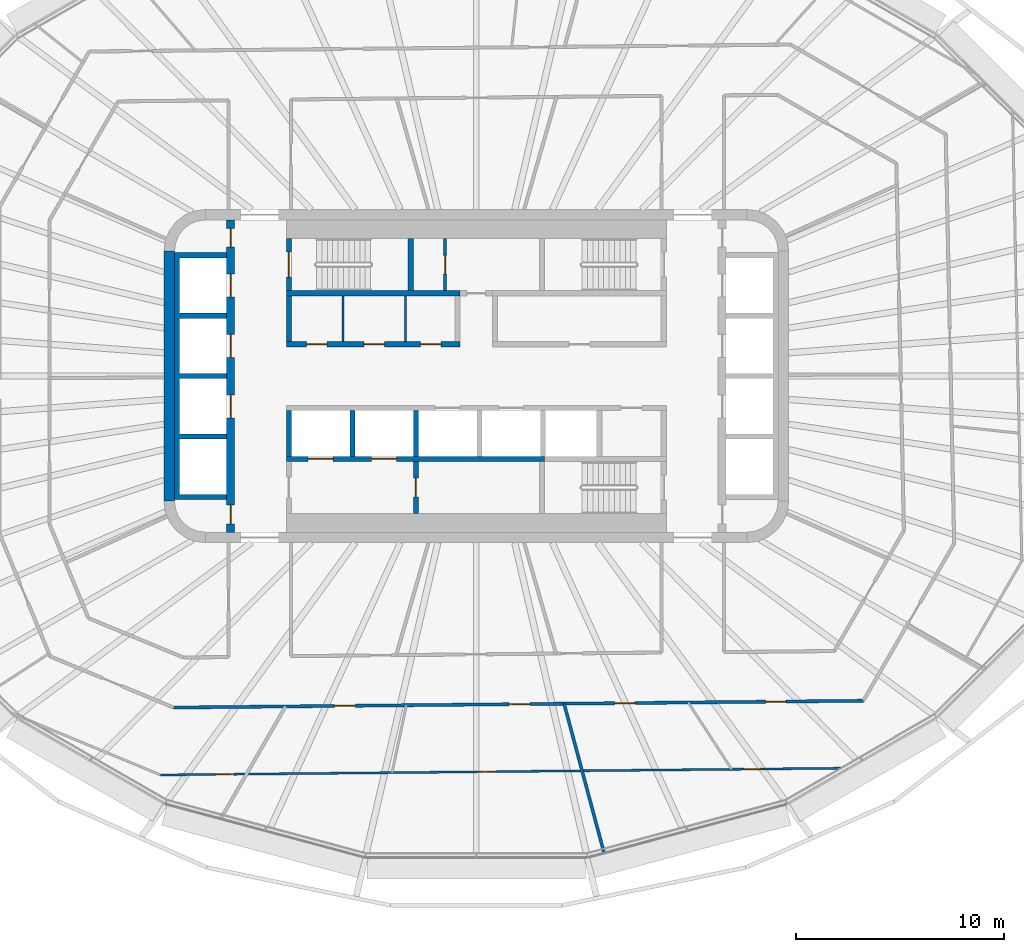
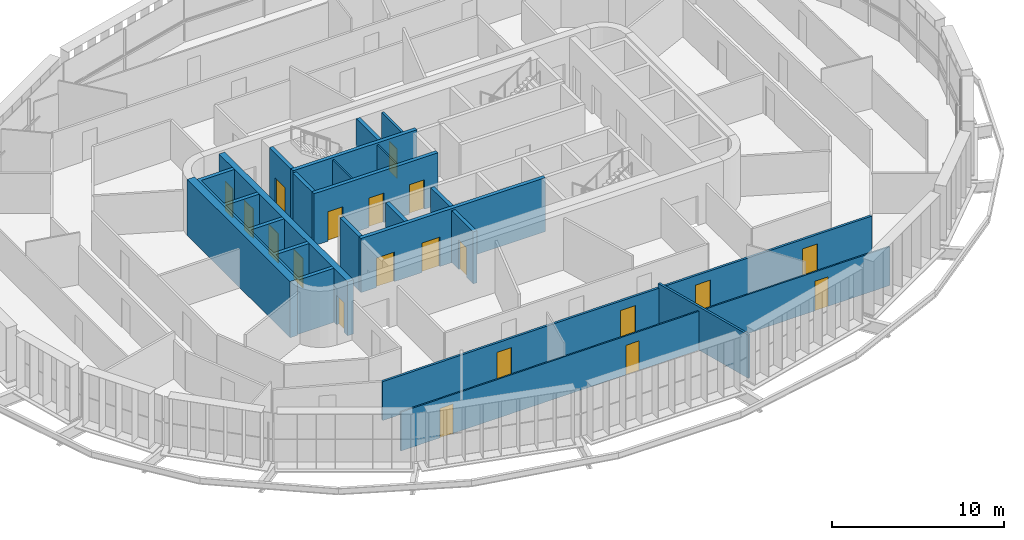
# One storey, part 11 of 22: 20 doors, 19 walls, 20 openings.
"""IFC4 building model written with IfcOpenShell, lengths in metres."""

from ifc_helpers import new_model, si_unit, direction, frame, frame_2d, origin, place, context, subcontext, project, spatial, polyline, rectangle, outline, extrude, material, layer, layer_set, type_object, element, fill, save


model = new_model("IFC4")

# Units and contexts
model_context = context("Model", 3, precision=1e-05, world=origin(), true_north=direction((0.0, 1.0)))
body_context = subcontext(model_context, "Body", "Model", "MODEL_VIEW")
ifc_project = project(units=[si_unit("LENGTHUNIT", "METRE"), si_unit("AREAUNIT", "SQUARE_METRE"), si_unit("VOLUMEUNIT", "CUBIC_METRE"), si_unit("PLANEANGLEUNIT", "RADIAN"), si_unit("MASSUNIT", "GRAM", prefix="KILO")], contexts=[model_context])

# Site, building, storey
site_placement = place(None, origin())
site = spatial("IfcSite", under=ifc_project, at=site_placement, CompositionType="ELEMENT")
building_placement = place(site_placement, origin())
building = spatial("IfcBuilding", under=site, at=building_placement, Name="Sahrelin Media Tower", CompositionType="ELEMENT")
storey_placement = place(building_placement, frame((0.0, 0.0, 189.60009765625)))
storey = spatial("IfcBuildingStorey", under=building, at=storey_placement, Name="L40", CompositionType="ELEMENT", Elevation=189.60009765625)

# Wall
ifc_material_1 = material(Name="Concrete C60/75", Category="concrete")
ifc_layer_1 = layer(ifc_material_1, 0.5)
ifc_layer_set_1 = layer_set([ifc_layer_1], Name="Core wall 500")
wall_type_1 = type_object("IfcWallType", Name="Core wall 500", PredefinedType="SHEAR", material=ifc_layer_set_1)
wall_1_placement = place(storey_placement, frame((-14.75, -6.0, 0.0), z_axis=(0.0, 0.0, 1.0), x_axis=(0.0, 1.0, 0.0)))
element("IfcWall", 1, at=wall_1_placement, inside=storey, type_object=wall_type_1, Name="Core wall W L40", PredefinedType="SHEAR", context=body_context, shape_type="SweptSolid", body=[
    extrude(rectangle(XDim=12.0, YDim=0.5, at=frame_2d((6.0, 0.0))), origin(), (0.0, 0.0, 1.0), 4.0),
])

# Wall, openings, doors
ifc_material_2 = material(Name="Fire-rated gypsum board partition")
ifc_layer_2 = layer(ifc_material_2, 0.25)
ifc_layer_set_2 = layer_set([ifc_layer_2], Name="Fire-rated lobby wall 250")
wall_type_2 = type_object("IfcWallType", Name="Fire-rated lobby wall 250", PredefinedType="PARTITIONING", material=ifc_layer_set_2)
wall_2_placement = place(storey_placement, frame((-9.125, 1.52490234375, 0.0), z_axis=(0.0, 0.0, 1.0), x_axis=(1.0, 0.0, 0.0)))
wall_2 = element("IfcWall", 2, at=wall_2_placement, inside=storey, type_object=wall_type_2, Name="Core lobby wall", PredefinedType="PARTITIONING", context=body_context, shape_type="SweptSolid", body=[
    extrude(rectangle(XDim=8.35009765625, YDim=0.25, at=frame_2d((4.175048828125, 0.0))), origin(), (0.0, 0.0, 1.0), 3.699951171875),
])
opening_1_placement = place(wall_2_placement, frame((0.96240234375, 0.0, 0.0)))
opening_1 = element("IfcOpeningElement", 3, at=opening_1_placement, cuts=wall_2, Name="Opening L40-D08", PredefinedType="OPENING", context=body_context, shape_type="SweptSolid", body=[
    extrude(rectangle(XDim=1.0, YDim=2.10009765625, at=frame_2d((0.5, 1.050048828125))), frame((0.0, 0.125, 0.0), z_axis=(0.0, -1.0, 0.0), x_axis=(1.0, 0.0, 0.0)), (0.0, 0.0, 1.0), 0.25),
])
opening_2_placement = place(wall_2_placement, frame((3.72509765625, 0.0, 0.0)))
opening_2 = element("IfcOpeningElement", 4, at=opening_2_placement, cuts=wall_2, Name="Opening L40-D09", PredefinedType="OPENING", context=body_context, shape_type="SweptSolid", body=[
    extrude(rectangle(XDim=1.0, YDim=2.10009765625, at=frame_2d((0.5, 1.050048828125))), frame((0.0, 0.125, 0.0), z_axis=(0.0, -1.0, 0.0), x_axis=(1.0, 0.0, 0.0)), (0.0, 0.0, 1.0), 0.25),
])
opening_3_placement = place(wall_2_placement, frame((6.4375, 0.0, 0.0)))
opening_3 = element("IfcOpeningElement", 5, at=opening_3_placement, cuts=wall_2, Name="Opening L40-D10", PredefinedType="OPENING", context=body_context, shape_type="SweptSolid", body=[
    extrude(rectangle(XDim=1.0, YDim=2.10009765625, at=frame_2d((0.5, 1.050048828125))), frame((0.0, 0.125, 0.0), z_axis=(0.0, -1.0, 0.0), x_axis=(1.0, 0.0, 0.0)), (0.0, 0.0, 1.0), 0.25),
])
ifc_material_3 = material(Name="Steel fire door leaf", Category="steel")
door_type_1 = type_object("IfcDoorType", Name="Fire door 1000 x 2100 EI 60", OperationType="NOTDEFINED", PredefinedType="DOOR", material=ifc_material_3)
door_1_placement = place(opening_1_placement, origin())
door_1 = element("IfcDoor", 6, at=door_1_placement, inside=storey, type_object=door_type_1, Name="Core room door", OperationType="SINGLE_SWING_LEFT", OverallHeight=2.10009765625, OverallWidth=1.0, PredefinedType="DOOR", context=body_context, shape_type="SweptSolid", body=[
    extrude(rectangle(XDim=1.0, YDim=2.10009765625, at=frame_2d((0.5, 1.050048828125))), frame((0.0, 0.02490234375, 0.0), z_axis=(0.0, -1.0, 0.0), x_axis=(1.0, 0.0, 0.0)), (0.0, 0.0, 1.0), 0.050048828125),
])
fill(opening_1, door_1)
door_2_placement = place(opening_2_placement, origin())
door_2 = element("IfcDoor", 7, at=door_2_placement, inside=storey, type_object=door_type_1, Name="Core room door", OperationType="SINGLE_SWING_LEFT", OverallHeight=2.10009765625, OverallWidth=1.0, PredefinedType="DOOR", context=body_context, shape_type="SweptSolid", body=[
    extrude(rectangle(XDim=1.0, YDim=2.10009765625, at=frame_2d((0.5, 1.050048828125))), frame((0.0, 0.02490234375, 0.0), z_axis=(0.0, -1.0, 0.0), x_axis=(1.0, 0.0, 0.0)), (0.0, 0.0, 1.0), 0.050048828125),
])
fill(opening_2, door_2)
door_3_placement = place(opening_3_placement, origin())
door_3 = element("IfcDoor", 8, at=door_3_placement, inside=storey, type_object=door_type_1, Name="Core room door", OperationType="SINGLE_SWING_LEFT", OverallHeight=2.10009765625, OverallWidth=1.0, PredefinedType="DOOR", context=body_context, shape_type="SweptSolid", body=[
    extrude(rectangle(XDim=1.0, YDim=2.10009765625, at=frame_2d((0.5, 1.050048828125))), frame((0.0, 0.02490234375, 0.0), z_axis=(0.0, -1.0, 0.0), x_axis=(1.0, 0.0, 0.0)), (0.0, 0.0, 1.0), 0.050048828125),
])
fill(opening_3, door_3)

# Walls
wall_3_placement = place(storey_placement, frame((-9.0, 1.64990234375, 0.0), z_axis=(0.0, 0.0, 1.0), x_axis=(0.0, 1.0, 0.0)))
element("IfcWall", 9, at=wall_3_placement, inside=storey, type_object=wall_type_2, Name="Core lobby wall", PredefinedType="PARTITIONING", context=body_context, shape_type="SweptSolid", body=[
    extrude(rectangle(XDim=2.2001953125, YDim=0.25, at=frame_2d((1.10009765625, 0.0))), origin(), (0.0, 0.0, 1.0), 3.699951171875),
])
ifc_layer_3 = layer(ifc_material_2, 0.10009765625)
ifc_layer_set_3 = layer_set([ifc_layer_3], Name="Fire-rated partition 100")
wall_type_3 = type_object("IfcWallType", Name="Fire-rated partition 100", PredefinedType="PARTITIONING", material=ifc_layer_set_3)
for number, where, z_axis, x_axis, name in (
    (10, (-6.39990234375, 1.64990234375, 0.0), (0.0, 0.0, 1.0), (0.0, 1.0, 0.0), "Core room partition"),
    (11, (-3.39990234375, 1.64990234375, 0.0), (0.0, 0.0, 1.0), (0.0, 1.0, 0.0), "Core room partition"),
):
    element("IfcWall", number, at=place(storey_placement, frame(where, z_axis=z_axis, x_axis=x_axis)), inside=storey, type_object=wall_type_3, Name=name, PredefinedType="PARTITIONING", context=body_context, shape_type="SweptSolid", body=[
        extrude(rectangle(XDim=2.2001953125, YDim=0.10009765625, at=frame_2d((1.10009765625, 0.0))), origin(), (0.0, 0.0, 1.0), 3.699951171875),
    ])

# Wall, opening, door
ifc_layer_4 = layer(ifc_material_2, 0.14990234375)
ifc_layer_set_4 = layer_set([ifc_layer_4], Name="Fire-rated partition 150")
wall_type_4 = type_object("IfcWallType", Name="Fire-rated partition 150", PredefinedType="PARTITIONING", material=ifc_layer_set_4)
wall_4_placement = place(storey_placement, frame((-1.5, 4.10009765625, 0.0), z_axis=(0.0, 0.0, 1.0), x_axis=(0.0, 1.0, 0.0)))
wall_4 = element("IfcWall", 12, at=wall_4_placement, inside=storey, type_object=wall_type_4, Name="Core room fire partition", PredefinedType="PARTITIONING", context=body_context, shape_type="SweptSolid", body=[
    extrude(rectangle(XDim=2.5, YDim=0.14990234375, at=frame_2d((1.25, 0.0))), origin(), (0.0, 0.0, 1.0), 3.699951171875),
])
opening_4_placement = place(wall_4_placement, frame((0.800048828125, 0.0, 0.0)))
opening_4 = element("IfcOpeningElement", 13, at=opening_4_placement, cuts=wall_4, Name="Opening L40-D07", PredefinedType="OPENING", context=body_context, shape_type="SweptSolid", body=[
    extrude(rectangle(XDim=0.89990234375, YDim=2.10009765625, at=frame_2d((0.449951171875, 1.050048828125))), frame((0.0, 0.074951171875, 0.0), z_axis=(0.0, -1.0, 0.0), x_axis=(1.0, 0.0, 0.0)), (0.0, 0.0, 1.0), 0.14990234375),
])
door_type_2 = type_object("IfcDoorType", Name="Fire door 900 x 2100 EI 60", OperationType="NOTDEFINED", PredefinedType="DOOR", material=ifc_material_3)
door_4_placement = place(opening_4_placement, origin())
door_4 = element("IfcDoor", 14, at=door_4_placement, inside=storey, type_object=door_type_2, Name="Core room door", OperationType="SINGLE_SWING_LEFT", OverallHeight=2.10009765625, OverallWidth=0.89990234375, PredefinedType="DOOR", context=body_context, shape_type="SweptSolid", body=[
    extrude(rectangle(XDim=0.89990234375, YDim=2.10009765625, at=frame_2d((0.449951171875, 1.050048828125))), frame((0.0, 0.02490234375, 0.0), z_axis=(0.0, -1.0, 0.0), x_axis=(1.0, 0.0, 0.0)), (0.0, 0.0, 1.0), 0.050048828125),
])
fill(opening_4, door_4)

# Wall
wall_5_placement = place(storey_placement, frame((4.215087890625, -15.72998046875, 0.0), z_axis=(0.0, 0.0, 1.0), x_axis=(0.258765615768, -0.965940141052, 0.0)))
element("IfcWall", 15, at=wall_5_placement, inside=storey, type_object=wall_type_4, Name="Wall", PredefinedType="PARTITIONING", context=body_context, shape_type="SweptSolid", body=[
    extrude(rectangle(XDim=7.4384765625, YDim=0.14990234375, at=frame_2d((3.71923828125, 0.0))), origin(), (0.0, 0.0, 1.0), 3.077392578125),
])

# Wall, openings, doors
wall_6_placement = place(storey_placement, frame((-14.533935546875, -15.91552734375, 0.0), z_axis=(0.0, 0.0, 1.0), x_axis=(0.999951221888, 0.009876935033, 0.0)))
wall_6 = element("IfcWall", 16, at=wall_6_placement, inside=storey, type_object=wall_type_4, Name="Wall", PredefinedType="PARTITIONING", context=body_context, shape_type="SweptSolid", body=[
    extrude(rectangle(XDim=33.12255859375, YDim=0.14990234375, at=frame_2d((16.561279296875, 0.0))), origin(), (0.0, 0.0, 1.0), 2.76806640625),
])
opening_5_placement = place(wall_6_placement, frame((7.722412109375, 0.0, 0.0)))
opening_5 = element("IfcOpeningElement", 17, at=opening_5_placement, cuts=wall_6, Name="Opening L40-D52", PredefinedType="OPENING", context=body_context, shape_type="SweptSolid", body=[
    extrude(rectangle(XDim=1.0, YDim=2.10009765625, at=frame_2d((0.5, 1.050048828125))), frame((0.0, 0.074951171875, 0.0), z_axis=(0.0, -1.0, 0.0), x_axis=(1.0, 0.0, 0.0)), (0.0, 0.0, 1.0), 0.14990234375),
])
opening_6_placement = place(wall_6_placement, frame((16.110595703125, 0.0, 0.0)))
opening_6 = element("IfcOpeningElement", 18, at=opening_6_placement, cuts=wall_6, Name="Opening L40-D53", PredefinedType="OPENING", context=body_context, shape_type="SweptSolid", body=[
    extrude(rectangle(XDim=1.0, YDim=2.10009765625, at=frame_2d((0.5, 1.050048828125))), frame((0.0, 0.074951171875, 0.0), z_axis=(0.0, -1.0, 0.0), x_axis=(1.0, 0.0, 0.0)), (0.0, 0.0, 1.0), 0.14990234375),
])
opening_7_placement = place(wall_6_placement, frame((21.1796875, 0.0, 0.0)))
opening_7 = element("IfcOpeningElement", 19, at=opening_7_placement, cuts=wall_6, Name="Opening L40-D55", PredefinedType="OPENING", context=body_context, shape_type="SweptSolid", body=[
    extrude(rectangle(XDim=1.0, YDim=2.10009765625, at=frame_2d((0.5, 1.050048828125))), frame((0.0, 0.074951171875, 0.0), z_axis=(0.0, -1.0, 0.0), x_axis=(1.0, 0.0, 0.0)), (0.0, 0.0, 1.0), 0.14990234375),
])
opening_8_placement = place(wall_6_placement, frame((28.41552734375, 0.0, 0.0)))
opening_8 = element("IfcOpeningElement", 20, at=opening_8_placement, cuts=wall_6, Name="Opening L40-D56", PredefinedType="OPENING", context=body_context, shape_type="SweptSolid", body=[
    extrude(rectangle(XDim=1.0, YDim=2.10009765625, at=frame_2d((0.5, 1.050048828125))), frame((0.0, 0.074951171875, 0.0), z_axis=(0.0, -1.0, 0.0), x_axis=(1.0, 0.0, 0.0)), (0.0, 0.0, 1.0), 0.14990234375),
])
door_5_placement = place(opening_5_placement, origin())
door_5 = element("IfcDoor", 21, at=door_5_placement, inside=storey, type_object=door_type_1, Name="Fire door", OperationType="SINGLE_SWING_LEFT", OverallHeight=2.10009765625, OverallWidth=1.0, PredefinedType="DOOR", context=body_context, shape_type="SweptSolid", body=[
    extrude(rectangle(XDim=1.0, YDim=2.10009765625, at=frame_2d((0.5, 1.050048828125))), frame((0.0, 0.02490234375, 0.0), z_axis=(0.0, -1.0, 0.0), x_axis=(1.0, 0.0, 0.0)), (0.0, 0.0, 1.0), 0.050048828125),
])
fill(opening_5, door_5)
door_6_placement = place(opening_6_placement, origin())
door_6 = element("IfcDoor", 22, at=door_6_placement, inside=storey, type_object=door_type_1, Name="Fire door", OperationType="SINGLE_SWING_RIGHT", OverallHeight=2.10009765625, OverallWidth=1.0, PredefinedType="DOOR", context=body_context, shape_type="SweptSolid", body=[
    extrude(rectangle(XDim=1.0, YDim=2.10009765625, at=frame_2d((0.5, 1.050048828125))), frame((0.0, 0.02490234375, 0.0), z_axis=(0.0, -1.0, 0.0), x_axis=(1.0, 0.0, 0.0)), (0.0, 0.0, 1.0), 0.050048828125),
])
fill(opening_6, door_6)
door_7_placement = place(opening_7_placement, origin())
door_7 = element("IfcDoor", 23, at=door_7_placement, inside=storey, type_object=door_type_1, Name="Fire door", OperationType="SINGLE_SWING_LEFT", OverallHeight=2.10009765625, OverallWidth=1.0, PredefinedType="DOOR", context=body_context, shape_type="SweptSolid", body=[
    extrude(rectangle(XDim=1.0, YDim=2.10009765625, at=frame_2d((0.5, 1.050048828125))), frame((0.0, 0.02490234375, 0.0), z_axis=(0.0, -1.0, 0.0), x_axis=(1.0, 0.0, 0.0)), (0.0, 0.0, 1.0), 0.050048828125),
])
fill(opening_7, door_7)
door_8_placement = place(opening_8_placement, origin())
door_8 = element("IfcDoor", 24, at=door_8_placement, inside=storey, type_object=door_type_1, Name="Fire door", OperationType="SINGLE_SWING_LEFT", OverallHeight=2.10009765625, OverallWidth=1.0, PredefinedType="DOOR", context=body_context, shape_type="SweptSolid", body=[
    extrude(rectangle(XDim=1.0, YDim=2.10009765625, at=frame_2d((0.5, 1.050048828125))), frame((0.0, 0.02490234375, 0.0), z_axis=(0.0, -1.0, 0.0), x_axis=(1.0, 0.0, 0.0)), (0.0, 0.0, 1.0), 0.050048828125),
])
fill(opening_8, door_8)

# Wall, opening, door
ifc_layer_5 = layer(ifc_material_2, 0.25)
ifc_layer_set_5 = layer_set([ifc_layer_5], Name="Firefighting lobby wall 250")
wall_type_5 = type_object("IfcWallType", Name="Firefighting lobby wall 250", PredefinedType="PARTITIONING", material=ifc_layer_set_5)
wall_7_placement = place(storey_placement, frame((-2.89990234375, -6.60009765625, 0.0), z_axis=(0.0, 0.0, 1.0), x_axis=(0.0, 1.0, 0.0)))
wall_7 = element("IfcWall", 25, at=wall_7_placement, inside=storey, type_object=wall_type_5, Name="Core wall", PredefinedType="PARTITIONING", context=body_context, shape_type="SweptSolid", body=[
    extrude(rectangle(XDim=2.5, YDim=0.25, at=frame_2d((1.25, 0.0))), origin(), (0.0, 0.0, 1.0), 3.699951171875),
])
opening_9_placement = place(wall_7_placement, frame((0.800048828125, 0.0, 0.0)))
opening_9 = element("IfcOpeningElement", 26, at=opening_9_placement, cuts=wall_7, Name="Opening L40-D05", PredefinedType="OPENING", context=body_context, shape_type="SweptSolid", body=[
    extrude(rectangle(XDim=0.89990234375, YDim=2.10009765625, at=frame_2d((0.449951171875, 1.050048828125))), frame((0.0, 0.125, 0.0), z_axis=(0.0, -1.0, 0.0), x_axis=(1.0, 0.0, 0.0)), (0.0, 0.0, 1.0), 0.25),
])
door_type_3 = type_object("IfcDoorType", Name="Firefighting lobby door 900 x 2100 EI 120", OperationType="NOTDEFINED", PredefinedType="DOOR", material=ifc_material_3)
door_9_placement = place(opening_9_placement, origin())
door_9 = element("IfcDoor", 27, at=door_9_placement, inside=storey, type_object=door_type_3, Name="Riser door", OperationType="SINGLE_SWING_RIGHT", OverallHeight=2.10009765625, OverallWidth=0.89990234375, PredefinedType="DOOR", context=body_context, shape_type="SweptSolid", body=[
    extrude(rectangle(XDim=0.89990234375, YDim=2.10009765625, at=frame_2d((0.449951171875, 1.050048828125))), frame((0.0, 0.02490234375, 0.0), z_axis=(0.0, -1.0, 0.0), x_axis=(1.0, 0.0, 0.0)), (0.0, 0.0, 1.0), 0.050048828125),
])
fill(opening_9, door_9)

# Wall, openings, doors
ifc_layer_6 = layer(ifc_material_1, 0.25)
ifc_layer_set_6 = layer_set([ifc_layer_6], Name="Lift shaft wall 250")
wall_type_6 = type_object("IfcWallType", Name="Lift shaft wall 250", PredefinedType="SOLIDWALL", material=ifc_layer_set_6)
wall_8_placement = place(storey_placement, frame((-9.125, -3.97509765625, 0.0), z_axis=(0.0, 0.0, 1.0), x_axis=(1.0, 0.0, 0.0)))
wall_8 = element("IfcWall", 28, at=wall_8_placement, inside=storey, type_object=wall_type_6, Name="Lift shaft wall", PredefinedType="SOLIDWALL", context=body_context, shape_type="SweptSolid", body=[
    extrude(rectangle(XDim=12.39990234375, YDim=0.25, at=frame_2d((6.199951171875, 0.0))), origin(), (0.0, 0.0, 1.0), 3.849853515625),
])
opening_10_placement = place(wall_8_placement, frame((1.050048828125, 0.0, 0.0)))
opening_10 = element("IfcOpeningElement", 29, at=opening_10_placement, cuts=wall_8, Name="Opening L40-LD-FF1", PredefinedType="OPENING", context=body_context, shape_type="SweptSolid", body=[
    extrude(rectangle(XDim=1.199951171875, YDim=2.10009765625, at=frame_2d((0.60009765625, 1.050048828125))), frame((0.0, 0.125, 0.0), z_axis=(0.0, -1.0, 0.0), x_axis=(1.0, 0.0, 0.0)), (0.0, 0.0, 1.0), 0.25),
])
opening_11_placement = place(wall_8_placement, frame((4.10009765625, 0.0, 0.0)))
opening_11 = element("IfcOpeningElement", 30, at=opening_11_placement, cuts=wall_8, Name="Opening L40-LD-FF2", PredefinedType="OPENING", context=body_context, shape_type="SweptSolid", body=[
    extrude(rectangle(XDim=1.199951171875, YDim=2.10009765625, at=frame_2d((0.60009765625, 1.050048828125))), frame((0.0, 0.125, 0.0), z_axis=(0.0, -1.0, 0.0), x_axis=(1.0, 0.0, 0.0)), (0.0, 0.0, 1.0), 0.25),
])
ifc_material_4 = material(Name="Stainless steel", Category="steel")
door_type_4 = type_object("IfcDoorType", Name="Lift landing door 1200 x 2100 EI 120", OperationType="DOUBLE_DOOR_SLIDING", PredefinedType="DOOR", material=ifc_material_4)
door_10_placement = place(opening_10_placement, origin())
door_10 = element("IfcDoor", 31, at=door_10_placement, inside=storey, type_object=door_type_4, Name="Lift landing door FF1", OperationType="DOUBLE_DOOR_SLIDING", OverallHeight=2.10009765625, OverallWidth=1.199951171875, PredefinedType="DOOR", context=body_context, shape_type="SweptSolid", body=[
    extrude(rectangle(XDim=1.199951171875, YDim=2.10009765625, at=frame_2d((0.60009765625, 1.050048828125))), frame((0.0, 0.02490234375, 0.0), z_axis=(0.0, -1.0, 0.0), x_axis=(1.0, 0.0, 0.0)), (0.0, 0.0, 1.0), 0.050048828125),
])
fill(opening_10, door_10)
door_11_placement = place(opening_11_placement, origin())
door_11 = element("IfcDoor", 32, at=door_11_placement, inside=storey, type_object=door_type_4, Name="Lift landing door FF2", OperationType="DOUBLE_DOOR_SLIDING", OverallHeight=2.10009765625, OverallWidth=1.199951171875, PredefinedType="DOOR", context=body_context, shape_type="SweptSolid", body=[
    extrude(rectangle(XDim=1.199951171875, YDim=2.10009765625, at=frame_2d((0.60009765625, 1.050048828125))), frame((0.0, 0.02490234375, 0.0), z_axis=(0.0, -1.0, 0.0), x_axis=(1.0, 0.0, 0.0)), (0.0, 0.0, 1.0), 0.050048828125),
])
fill(opening_11, door_11)

# Walls
for number, where, z_axis, x_axis, name in (
    (33, (-9.0, -3.85009765625, 0.0), (0.0, 0.0, 1.0), (0.0, 1.0, 0.0), "Lift shaft wall"),
    (34, (-5.949951171875, -3.85009765625, 0.0), (0.0, 0.0, 1.0), (0.0, 1.0, 0.0), "Lift shaft wall"),
    (35, (-2.89990234375, -3.85009765625, 0.0), (0.0, 0.0, 1.0), (0.0, 1.0, 0.0), "Lift shaft wall"),
):
    element("IfcWall", number, at=place(storey_placement, frame(where, z_axis=z_axis, x_axis=x_axis)), inside=storey, type_object=wall_type_6, Name=name, PredefinedType="SOLIDWALL", context=body_context, shape_type="SweptSolid", body=[
        extrude(rectangle(XDim=2.2001953125, YDim=0.25, at=frame_2d((1.10009765625, 0.0))), origin(), (0.0, 0.0, 1.0), 3.849853515625),
    ])
wall_9_placement = place(storey_placement, origin())
element("IfcWall", 36, at=wall_9_placement, inside=storey, type_object=wall_type_6, Name="Lift shaft wall", PredefinedType="SOLIDWALL", context=body_context, shape_type="SweptSolid", body=[
    extrude(outline(polyline([(-12.0, -5.925048828125), (-12.0, -5.675048828125), (-14.25, -5.675048828125), (-14.25, -3.02490234375), (-12.0, -3.02490234375), (-12.0, -2.77490234375), (-14.25, -2.77490234375), (-14.25, -0.125), (-12.0, -0.125), (-12.0, 0.125), (-14.25, 0.125), (-14.25, 2.77490234375), (-12.0, 2.77490234375), (-12.0, 3.02490234375), (-14.25, 3.02490234375), (-14.25, 5.675048828125), (-12.0, 5.675048828125), (-12.0, 5.925048828125), (-14.25, 5.925048828125), (-14.5, 5.925048828125), (-14.5, 5.675048828125), (-14.5, 3.02490234375), (-14.5, 2.77490234375), (-14.5, 0.125), (-14.5, -0.125), (-14.5, -2.77490234375), (-14.5, -3.02490234375), (-14.5, -5.675048828125), (-14.5, -5.925048828125), (-14.25, -5.925048828125), (-12.0, -5.925048828125)])), origin(), (0.0, 0.0, 1.0), 3.849853515625),
])

# Wall, openings, doors
ifc_layer_7 = layer(ifc_material_1, 0.39990234375)
ifc_layer_set_7 = layer_set([ifc_layer_7], Name="Lift shaft wall 400")
wall_type_7 = type_object("IfcWallType", Name="Lift shaft wall 400", PredefinedType="SOLIDWALL", material=ifc_layer_set_7)
wall_10_placement = place(storey_placement, frame((-11.800048828125, -7.5, 0.0), z_axis=(0.0, 0.0, 1.0), x_axis=(0.0, 1.0, 0.0)))
wall_10 = element("IfcWall", 37, at=wall_10_placement, inside=storey, type_object=wall_type_7, Name="Lift shaft wall", PredefinedType="SOLIDWALL", context=body_context, shape_type="SweptSolid", body=[
    extrude(rectangle(XDim=15.0, YDim=0.39990234375, at=frame_2d((7.5, 0.0))), origin(), (0.0, 0.0, 1.0), 3.849853515625),
])
opening_12_placement = place(wall_10_placement, frame((11.300048828125, 0.0, 0.0)))
opening_12 = element("IfcOpeningElement", 38, at=opening_12_placement, cuts=wall_10, Name="Opening L40-LD-LR1", PredefinedType="OPENING", context=body_context, shape_type="SweptSolid", body=[
    extrude(rectangle(XDim=1.10009765625, YDim=2.10009765625, at=frame_2d((0.550048828125, 1.050048828125))), frame((0.0, 0.199951171875, 0.0), z_axis=(0.0, -1.0, 0.0), x_axis=(1.0, 0.0, 0.0)), (0.0, 0.0, 1.0), 0.39990234375),
])
opening_13_placement = place(wall_10_placement, frame((8.39990234375, 0.0, 0.0)))
opening_13 = element("IfcOpeningElement", 39, at=opening_13_placement, cuts=wall_10, Name="Opening L40-LD-LR2", PredefinedType="OPENING", context=body_context, shape_type="SweptSolid", body=[
    extrude(rectangle(XDim=1.10009765625, YDim=2.10009765625, at=frame_2d((0.550048828125, 1.050048828125))), frame((0.0, 0.199951171875, 0.0), z_axis=(0.0, -1.0, 0.0), x_axis=(1.0, 0.0, 0.0)), (0.0, 0.0, 1.0), 0.39990234375),
])
opening_14_placement = place(wall_10_placement, frame((5.5, 0.0, 0.0)))
opening_14 = element("IfcOpeningElement", 40, at=opening_14_placement, cuts=wall_10, Name="Opening L40-LD-LR3", PredefinedType="OPENING", context=body_context, shape_type="SweptSolid", body=[
    extrude(rectangle(XDim=1.10009765625, YDim=2.10009765625, at=frame_2d((0.550048828125, 1.050048828125))), frame((0.0, 0.199951171875, 0.0), z_axis=(0.0, -1.0, 0.0), x_axis=(1.0, 0.0, 0.0)), (0.0, 0.0, 1.0), 0.39990234375),
])
opening_15_placement = place(wall_10_placement, frame((13.696533203125, 0.0, 0.0)))
opening_15 = element("IfcOpeningElement", 41, at=opening_15_placement, cuts=wall_10, Name="Opening L40-D13", PredefinedType="OPENING", context=body_context, shape_type="SweptSolid", body=[
    extrude(rectangle(XDim=0.89990234375, YDim=2.10009765625, at=frame_2d((0.449951171875, 1.050048828125))), frame((0.0, 0.199951171875, 0.0), z_axis=(0.0, -1.0, 0.0), x_axis=(1.0, 0.0, 0.0)), (0.0, 0.0, 1.0), 0.39990234375),
])
opening_16_placement = place(wall_10_placement, frame((0.4033203125, 0.0, 0.0)))
opening_16 = element("IfcOpeningElement", 42, at=opening_16_placement, cuts=wall_10, Name="Opening L40-D14", PredefinedType="OPENING", context=body_context, shape_type="SweptSolid", body=[
    extrude(rectangle(XDim=0.89990234375, YDim=2.10009765625, at=frame_2d((0.449951171875, 1.050048828125))), frame((0.0, 0.199951171875, 0.0), z_axis=(0.0, -1.0, 0.0), x_axis=(1.0, 0.0, 0.0)), (0.0, 0.0, 1.0), 0.39990234375),
])
door_type_5 = type_object("IfcDoorType", Name="Lift landing door 1100 x 2100 EI 120", OperationType="DOUBLE_DOOR_SLIDING", PredefinedType="DOOR", material=ifc_material_4)
door_12_placement = place(opening_12_placement, origin())
door_12 = element("IfcDoor", 43, at=door_12_placement, inside=storey, type_object=door_type_5, Name="Lift landing door LR1", OperationType="DOUBLE_DOOR_SLIDING", OverallHeight=2.10009765625, OverallWidth=1.10009765625, PredefinedType="DOOR", context=body_context, shape_type="SweptSolid", body=[
    extrude(rectangle(XDim=1.10009765625, YDim=2.10009765625, at=frame_2d((0.550048828125, 1.050048828125))), frame((0.0, 0.02490234375, 0.0), z_axis=(0.0, -1.0, 0.0), x_axis=(1.0, 0.0, 0.0)), (0.0, 0.0, 1.0), 0.050048828125),
])
fill(opening_12, door_12)
door_13_placement = place(opening_13_placement, origin())
door_13 = element("IfcDoor", 44, at=door_13_placement, inside=storey, type_object=door_type_5, Name="Lift landing door LR2", OperationType="DOUBLE_DOOR_SLIDING", OverallHeight=2.10009765625, OverallWidth=1.10009765625, PredefinedType="DOOR", context=body_context, shape_type="SweptSolid", body=[
    extrude(rectangle(XDim=1.10009765625, YDim=2.10009765625, at=frame_2d((0.550048828125, 1.050048828125))), frame((0.0, 0.02490234375, 0.0), z_axis=(0.0, -1.0, 0.0), x_axis=(1.0, 0.0, 0.0)), (0.0, 0.0, 1.0), 0.050048828125),
])
fill(opening_13, door_13)
door_14_placement = place(opening_14_placement, origin())
door_14 = element("IfcDoor", 45, at=door_14_placement, inside=storey, type_object=door_type_5, Name="Lift landing door LR3", OperationType="DOUBLE_DOOR_SLIDING", OverallHeight=2.10009765625, OverallWidth=1.10009765625, PredefinedType="DOOR", context=body_context, shape_type="SweptSolid", body=[
    extrude(rectangle(XDim=1.10009765625, YDim=2.10009765625, at=frame_2d((0.550048828125, 1.050048828125))), frame((0.0, 0.02490234375, 0.0), z_axis=(0.0, -1.0, 0.0), x_axis=(1.0, 0.0, 0.0)), (0.0, 0.0, 1.0), 0.050048828125),
])
fill(opening_14, door_14)
door_type_6 = type_object("IfcDoorType", Name="Riser door 900 x 2100 EI 120", OperationType="NOTDEFINED", PredefinedType="DOOR", material=ifc_material_3)
door_15_placement = place(opening_15_placement, origin())
door_15 = element("IfcDoor", 46, at=door_15_placement, inside=storey, type_object=door_type_6, Name="Riser door", OperationType="SINGLE_SWING_LEFT", OverallHeight=2.10009765625, OverallWidth=0.89990234375, PredefinedType="DOOR", context=body_context, shape_type="SweptSolid", body=[
    extrude(rectangle(XDim=0.89990234375, YDim=2.10009765625, at=frame_2d((0.449951171875, 1.050048828125))), frame((0.0, 0.02490234375, 0.0), z_axis=(0.0, -1.0, 0.0), x_axis=(1.0, 0.0, 0.0)), (0.0, 0.0, 1.0), 0.050048828125),
])
fill(opening_15, door_15)
door_16_placement = place(opening_16_placement, origin())
door_16 = element("IfcDoor", 47, at=door_16_placement, inside=storey, type_object=door_type_6, Name="Riser door", OperationType="SINGLE_SWING_LEFT", OverallHeight=2.10009765625, OverallWidth=0.89990234375, PredefinedType="DOOR", context=body_context, shape_type="SweptSolid", body=[
    extrude(rectangle(XDim=0.89990234375, YDim=2.10009765625, at=frame_2d((0.449951171875, 1.050048828125))), frame((0.0, 0.02490234375, 0.0), z_axis=(0.0, -1.0, 0.0), x_axis=(1.0, 0.0, 0.0)), (0.0, 0.0, 1.0), 0.050048828125),
])
fill(opening_16, door_16)

ifc_material_5 = material(Name="Gypsum board partition")
ifc_layer_8 = layer(ifc_material_5, 0.10009765625)
ifc_layer_set_8 = layer_set([ifc_layer_8], Name="Partition 100")
wall_type_8 = type_object("IfcWallType", Name="Partition 100", PredefinedType="PARTITIONING", material=ifc_layer_set_8)
wall_11_placement = place(storey_placement, frame((-15.160888671875, -19.152099609375, 0.0), z_axis=(0.0, 0.0, 1.0), x_axis=(0.999950812999, 0.009918244889, 0.0)))
wall_11 = element("IfcWall", 48, at=wall_11_placement, inside=storey, type_object=wall_type_8, Name="Wall", PredefinedType="PARTITIONING", context=body_context, shape_type="SweptSolid", body=[
    extrude(rectangle(XDim=33.107666015625, YDim=0.10009765625, at=frame_2d((16.5537109375, 0.0))), origin(), (0.0, 0.0, 1.0), 2.76806640625),
])
opening_17_placement = place(wall_11_placement, frame((2.627685546875, 0.0, 0.0)))
opening_17 = element("IfcOpeningElement", 49, at=opening_17_placement, cuts=wall_11, Name="Opening L40-D51", PredefinedType="OPENING", context=body_context, shape_type="SweptSolid", body=[
    extrude(rectangle(XDim=0.89990234375, YDim=2.10009765625, at=frame_2d((0.449951171875, 1.050048828125))), frame((0.0, 0.050048828125, 0.0), z_axis=(0.0, -1.0, 0.0), x_axis=(1.0, 0.0, 0.0)), (0.0, 0.0, 1.0), 0.10009765625),
])
opening_18_placement = place(wall_11_placement, frame((15.22607421875, 0.0, 0.0)))
opening_18 = element("IfcOpeningElement", 50, at=opening_18_placement, cuts=wall_11, Name="Opening L40-D54", PredefinedType="OPENING", context=body_context, shape_type="SweptSolid", body=[
    extrude(rectangle(XDim=0.89990234375, YDim=2.10009765625, at=frame_2d((0.449951171875, 1.050048828125))), frame((0.0, 0.050048828125, 0.0), z_axis=(0.0, -1.0, 0.0), x_axis=(1.0, 0.0, 0.0)), (0.0, 0.0, 1.0), 0.10009765625),
])
opening_19_placement = place(wall_11_placement, frame((28.0244140625, 0.0, 0.0)))
opening_19 = element("IfcOpeningElement", 51, at=opening_19_placement, cuts=wall_11, Name="Opening L40-D57", PredefinedType="OPENING", context=body_context, shape_type="SweptSolid", body=[
    extrude(rectangle(XDim=0.89990234375, YDim=2.10009765625, at=frame_2d((0.449951171875, 1.050048828125))), frame((0.0, 0.050048828125, 0.0), z_axis=(0.0, -1.0, 0.0), x_axis=(1.0, 0.0, 0.0)), (0.0, 0.0, 1.0), 0.10009765625),
])
ifc_material_6 = material(Name="Timber door leaf", Category="wood")
door_type_7 = type_object("IfcDoorType", Name="Single door 900 x 2100", OperationType="NOTDEFINED", PredefinedType="DOOR", material=ifc_material_6)
door_17_placement = place(opening_17_placement, origin())
door_17 = element("IfcDoor", 52, at=door_17_placement, inside=storey, type_object=door_type_7, Name="Single door", OperationType="SINGLE_SWING_RIGHT", OverallHeight=2.10009765625, OverallWidth=0.89990234375, PredefinedType="DOOR", context=body_context, shape_type="SweptSolid", body=[
    extrude(rectangle(XDim=0.89990234375, YDim=2.10009765625, at=frame_2d((0.449951171875, 1.050048828125))), frame((0.0, 0.02490234375, 0.0), z_axis=(0.0, -1.0, 0.0), x_axis=(1.0, 0.0, 0.0)), (0.0, 0.0, 1.0), 0.050048828125),
])
fill(opening_17, door_17)
door_18_placement = place(opening_18_placement, origin())
door_18 = element("IfcDoor", 53, at=door_18_placement, inside=storey, type_object=door_type_7, Name="Single door", OperationType="SINGLE_SWING_RIGHT", OverallHeight=2.10009765625, OverallWidth=0.89990234375, PredefinedType="DOOR", context=body_context, shape_type="SweptSolid", body=[
    extrude(rectangle(XDim=0.89990234375, YDim=2.10009765625, at=frame_2d((0.449951171875, 1.050048828125))), frame((0.0, 0.02490234375, 0.0), z_axis=(0.0, -1.0, 0.0), x_axis=(1.0, 0.0, 0.0)), (0.0, 0.0, 1.0), 0.050048828125),
])
fill(opening_18, door_18)
door_19_placement = place(opening_19_placement, origin())
door_19 = element("IfcDoor", 54, at=door_19_placement, inside=storey, type_object=door_type_7, Name="Single door", OperationType="SINGLE_SWING_RIGHT", OverallHeight=2.10009765625, OverallWidth=0.89990234375, PredefinedType="DOOR", context=body_context, shape_type="SweptSolid", body=[
    extrude(rectangle(XDim=0.89990234375, YDim=2.10009765625, at=frame_2d((0.449951171875, 1.050048828125))), frame((0.0, 0.02490234375, 0.0), z_axis=(0.0, -1.0, 0.0), x_axis=(1.0, 0.0, 0.0)), (0.0, 0.0, 1.0), 0.050048828125),
])
fill(opening_19, door_19)

# Wall, opening, door
ifc_layer_9 = layer(ifc_material_1, 0.25)
ifc_layer_set_9 = layer_set([ifc_layer_9], Name="Stair enclosure wall 250")
wall_type_9 = type_object("IfcWallType", Name="Stair enclosure wall 250", PredefinedType="SOLIDWALL", material=ifc_layer_set_9)
wall_12_placement = place(storey_placement, frame((-9.0, 4.10009765625, 0.0), z_axis=(0.0, 0.0, 1.0), x_axis=(0.0, 1.0, 0.0)))
wall_12 = element("IfcWall", 55, at=wall_12_placement, inside=storey, type_object=wall_type_9, Name="Stair enclosure wall", PredefinedType="SOLIDWALL", context=body_context, shape_type="SweptSolid", body=[
    extrude(rectangle(XDim=2.5, YDim=0.25, at=frame_2d((1.25, 0.0))), origin(), (0.0, 0.0, 1.0), 3.849853515625),
])
opening_20_placement = place(wall_12_placement, frame((0.64990234375, 0.0, 0.0)))
opening_20 = element("IfcOpeningElement", 56, at=opening_20_placement, cuts=wall_12, Name="Opening L40-D01", PredefinedType="OPENING", context=body_context, shape_type="SweptSolid", body=[
    extrude(rectangle(XDim=1.199951171875, YDim=2.10009765625, at=frame_2d((0.60009765625, 1.050048828125))), frame((0.0, 0.125, 0.0), z_axis=(0.0, -1.0, 0.0), x_axis=(1.0, 0.0, 0.0)), (0.0, 0.0, 1.0), 0.25),
])
door_type_8 = type_object("IfcDoorType", Name="Stair door 1200 x 2100 EI 120", OperationType="NOTDEFINED", PredefinedType="DOOR", material=ifc_material_3)
door_20_placement = place(opening_20_placement, origin())
door_20 = element("IfcDoor", 57, at=door_20_placement, inside=storey, type_object=door_type_8, Name="Stair door ST1", OperationType="SINGLE_SWING_RIGHT", OverallHeight=2.10009765625, OverallWidth=1.199951171875, PredefinedType="DOOR", context=body_context, shape_type="SweptSolid", body=[
    extrude(rectangle(XDim=1.199951171875, YDim=2.10009765625, at=frame_2d((0.60009765625, 1.050048828125))), frame((0.0, 0.02490234375, 0.0), z_axis=(0.0, -1.0, 0.0), x_axis=(1.0, 0.0, 0.0)), (0.0, 0.0, 1.0), 0.050048828125),
])
fill(opening_20, door_20)

# Walls
wall_13_placement = place(storey_placement, frame((-3.14990234375, 4.10009765625, 0.0), z_axis=(0.0, 0.0, 1.0), x_axis=(0.0, 1.0, 0.0)))
element("IfcWall", 58, at=wall_13_placement, inside=storey, type_object=wall_type_9, Name="Stair enclosure wall", PredefinedType="SOLIDWALL", context=body_context, shape_type="SweptSolid", body=[
    extrude(rectangle(XDim=2.5, YDim=0.25, at=frame_2d((1.25, 0.0))), origin(), (0.0, 0.0, 1.0), 3.849853515625),
])
wall_14_placement = place(storey_placement, frame((-9.125, 3.97509765625, 0.0), z_axis=(0.0, 0.0, 1.0), x_axis=(1.0, 0.0, 0.0)))
element("IfcWall", 59, at=wall_14_placement, inside=storey, type_object=wall_type_9, Name="Stair enclosure wall", PredefinedType="SOLIDWALL", context=body_context, shape_type="SweptSolid", body=[
    extrude(rectangle(XDim=8.35009765625, YDim=0.25, at=frame_2d((4.175048828125, 0.0))), origin(), (0.0, 0.0, 1.0), 3.849853515625),
])

save(model, "model.ifc")
